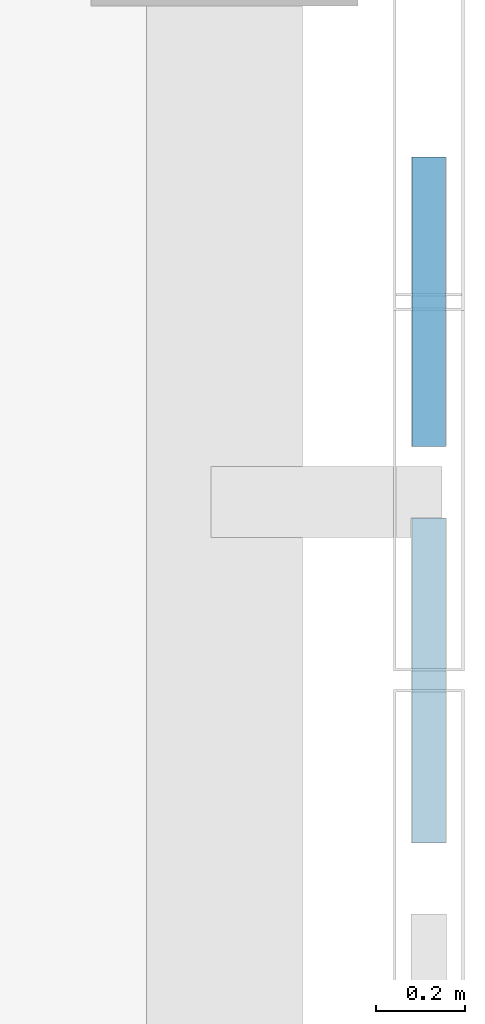
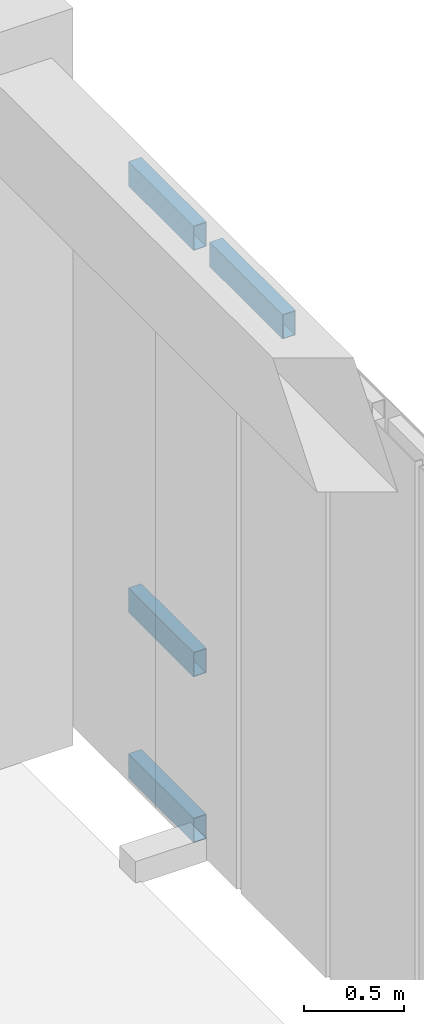
# One storey, part 42 of 91: 4 members, 1 element without a shape of its own.
"""IFC4 building model written with IfcOpenShell, lengths in metres."""

from ifc_helpers import new_model, si_unit, direction, frame, origin, origin_2d, place, context, subcontext, project, spatial, hollow_rectangle, extrude, material, material_profile, profile_set, type_object, element, aggregate, save


model = new_model("IFC4")

# Units and contexts
model_context = context("Model", 3, precision=1e-05, world=origin(), true_north=direction((0.0, 1.0)))
body_context = subcontext(model_context, "Body", "Model", "MODEL_VIEW")
ifc_project = project(units=[si_unit("LENGTHUNIT", "METRE"), si_unit("AREAUNIT", "SQUARE_METRE"), si_unit("VOLUMEUNIT", "CUBIC_METRE"), si_unit("PLANEANGLEUNIT", "RADIAN"), si_unit("MASSUNIT", "GRAM", prefix="KILO")], contexts=[model_context])

# Site, building, storey
site_placement = place(None, origin())
site = spatial("IfcSite", under=ifc_project, at=site_placement, CompositionType="ELEMENT")
building_placement = place(site_placement, origin())
building = spatial("IfcBuilding", under=site, at=building_placement, Name="Aldebral Square Health Centre", CompositionType="ELEMENT")
storey_placement = place(building_placement, frame((0.0, 0.0, 9.0)))
storey = spatial("IfcBuildingStorey", under=building, at=storey_placement, Name="L02", CompositionType="ELEMENT", Elevation=9.0)

# Curtain wall, members
ifc_material_1 = material(Name="Aluminium and low-E solar glass", Category="aluminium")
curtain_wall_type = type_object("IfcCurtainWallType", Name="CW-FIN-SYS", PredefinedType="USERDEFINED", material=ifc_material_1)
curtain_wall_placement = place(storey_placement, origin())
curtain_wall = element("IfcCurtainWall", 1, at=curtain_wall_placement, inside=storey, type_object=curtain_wall_type, Name="L02 V5 finned curtain wall L02-V5-22-15-E", ObjectType="SOLAR_CURTAIN_WALL", PredefinedType="USERDEFINED")
ifc_material_2 = material(Name="Anodised aluminium transom", Category="aluminium")
ifc_material_profile = material_profile(ifc_material_2, hollow_rectangle(XDim=0.074951171875, YDim=0.14990234375, WallThickness=0.00390625, at=origin_2d()), Name="CWT 75x150x4")
ifc_profile_set = profile_set([ifc_material_profile], Name="Anodised aluminium transom")
member_type = type_object("IfcMemberType", Name="CWT-STD", PredefinedType="USERDEFINED", material=ifc_profile_set)
member_1_placement = place(storey_placement, frame((166.06005859375, 113.01708984375, 3.652587890625), z_axis=(0.0, 1.0, 0.0), x_axis=(-1.0, 0.0, 0.0)))
member_1 = element("IfcMember", 2, at=member_1_placement, type_object=member_type, Name="CW1 transom 6.3", ObjectType="TRANSOM", PredefinedType="USERDEFINED", context=body_context, shape_type="SweptSolid", body=[
    extrude(hollow_rectangle(XDim=0.074951171875, YDim=0.14990234375, WallThickness=0.00390625, at=origin_2d()), origin(), (0.0, 0.0, 1.0), 0.7314453125),
])
member_2_placement = place(storey_placement, frame((166.06005859375, 113.90869140625, 0.03759765625), z_axis=(0.0, 1.0, 0.0), x_axis=(-1.0, 0.0, 0.0)))
member_2 = element("IfcMember", 3, at=member_2_placement, type_object=member_type, Name="CW1 transom 7.1", ObjectType="TRANSOM", PredefinedType="USERDEFINED", context=body_context, shape_type="SweptSolid", body=[
    extrude(hollow_rectangle(XDim=0.074951171875, YDim=0.14990234375, WallThickness=0.00390625, at=origin_2d()), origin(), (0.0, 0.0, 1.0), 0.6513671875),
])
member_3_placement = place(storey_placement, frame((166.06005859375, 113.90869140625, 1.050048828125), z_axis=(0.0, 1.0, 0.0), x_axis=(-1.0, 0.0, 0.0)))
member_3 = element("IfcMember", 4, at=member_3_placement, type_object=member_type, Name="CW1 transom 7.2", ObjectType="TRANSOM", PredefinedType="USERDEFINED", context=body_context, shape_type="SweptSolid", body=[
    extrude(hollow_rectangle(XDim=0.074951171875, YDim=0.14990234375, WallThickness=0.00390625, at=origin_2d()), origin(), (0.0, 0.0, 1.0), 0.6513671875),
])
member_4_placement = place(storey_placement, frame((166.06005859375, 113.90869140625, 3.652587890625), z_axis=(0.0, 1.0, 0.0), x_axis=(-1.0, 0.0, 0.0)))
member_4 = element("IfcMember", 5, at=member_4_placement, type_object=member_type, Name="CW1 transom 7.3", ObjectType="TRANSOM", PredefinedType="USERDEFINED", context=body_context, shape_type="SweptSolid", body=[
    extrude(hollow_rectangle(XDim=0.074951171875, YDim=0.14990234375, WallThickness=0.00390625, at=origin_2d()), origin(), (0.0, 0.0, 1.0), 0.6513671875),
])
aggregate(curtain_wall, [member_1, member_2, member_3, member_4])

save(model, "model.ifc")
